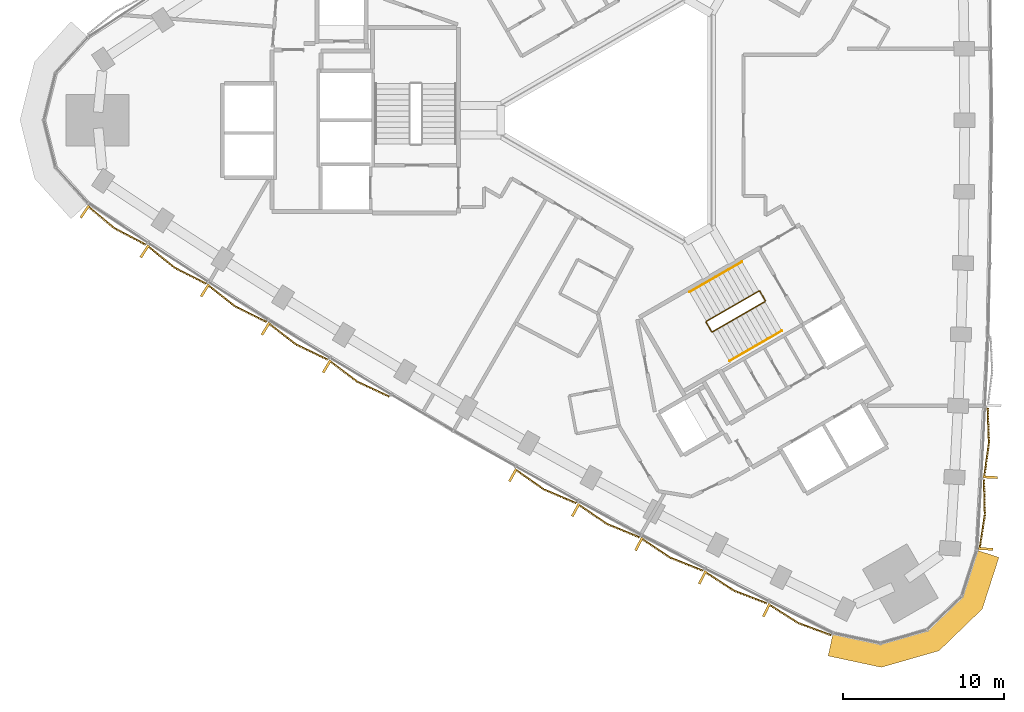
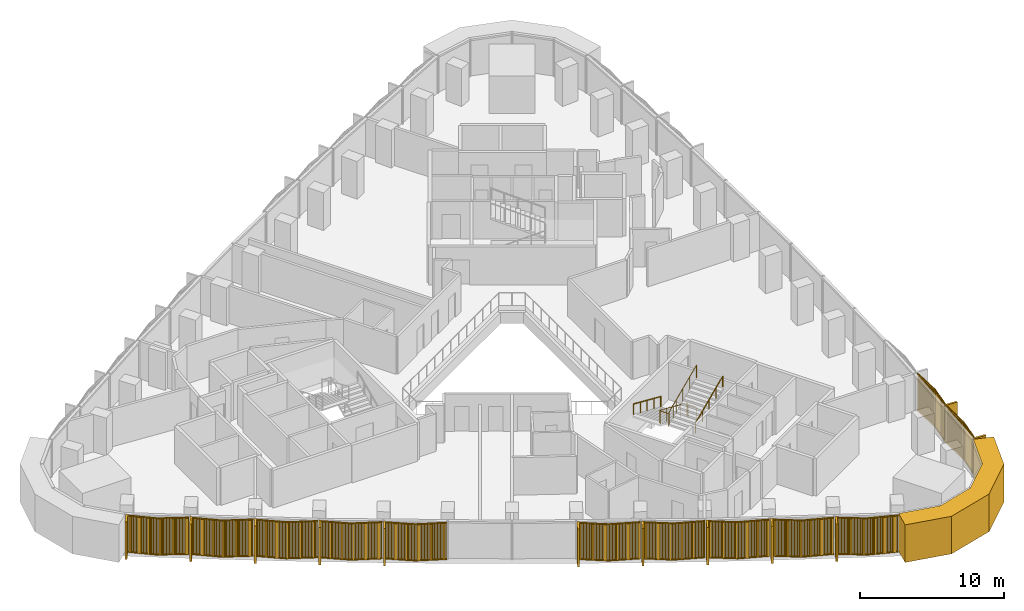
# One storey, part 12 of 15: 13 coverings, 3 railings.
"""IFC4 building model written with IfcOpenShell, lengths in metres."""

from ifc_helpers import new_model, si_unit, direction, frame, frame_2d, origin, origin_2d, place, context, subcontext, project, spatial, polyline, rectangle, circle, outline, extrude, source, transform, mapped, material, layer, layer_set, type_object, element, save


model = new_model("IFC4")

# Units and contexts
model_context = context("Model", 3, precision=1e-05, world=origin(), true_north=direction((0.0, 1.0)))
body_context = subcontext(model_context, "Body", "Model", "MODEL_VIEW")
ifc_project = project(units=[si_unit("LENGTHUNIT", "METRE"), si_unit("AREAUNIT", "SQUARE_METRE"), si_unit("VOLUMEUNIT", "CUBIC_METRE"), si_unit("PLANEANGLEUNIT", "RADIAN"), si_unit("MASSUNIT", "GRAM", prefix="KILO")], contexts=[model_context])

# Site, building, storey
site_placement = place(None, origin())
site = spatial("IfcSite", under=ifc_project, at=site_placement, CompositionType="ELEMENT")
building_placement = place(site_placement, origin())
building = spatial("IfcBuilding", under=site, at=building_placement, Name="Tamra Quay Hotel Tower", CompositionType="ELEMENT")
storey_placement = place(building_placement, frame((0.0, 0.0, 86.60009765625)))
storey = spatial("IfcBuildingStorey", under=building, at=storey_placement, Name="L20", CompositionType="ELEMENT", Elevation=86.60009765625)

# Covering
ifc_material_1 = material(Name="Precast concrete M60 terracotta-coloured", Category="masonry")
ifc_layer = layer(ifc_material_1, 1.449951171875)
ifc_layer_set = layer_set([ifc_layer], Name="CORNER PIER PANEL")
covering_type_1 = type_object("IfcCoveringType", Name="CORNER PIER PANEL", PredefinedType="CLADDING", material=ifc_layer_set)
covering_placement = place(storey_placement, origin())
element("IfcCovering", 1, at=covering_placement, inside=storey, type_object=covering_type_1, Name="Corner pier L20.south-west", PredefinedType="CLADDING", context=body_context, shape_type="SweptSolid", body=[
    extrude(outline(polyline([(12.46875, -31.928466796875), (12.16552734375, -33.34619140625), (15.469482421875, -34.052978515625), (19.066162109375, -33.0234375), (21.756103515625, -30.423583984375), (22.7958984375, -27.208740234375), (21.41650390625, -26.762451171875), (20.48779296875, -29.6328125), (18.31884765625, -31.729248046875), (15.418701171875, -32.559326171875), (12.46875, -31.928466796875)])), origin(), (0.0, 0.0, 1.0), 3.1748046875),
])

# Railings
ifc_material_2 = material(Name="Stair guard 1100")
railing_type_1 = type_object("IfcRailingType", Name="Stair guard 1100", PredefinedType="GUARDRAIL", material=ifc_material_2)
railing_1_placement = place(storey_placement, frame((8.245849609375, -11.221923828125, 0.0)))
element("IfcRailing", 2, at=railing_1_placement, inside=storey, type_object=railing_type_1, Name="GR", PredefinedType="GUARDRAIL", context=body_context, shape_type="SweptSolid", body=[
    extrude(circle(Radius=0.02392578125, at=origin_2d()), frame((0.0, 0.0, 1.076171875), z_axis=(-0.500043078269, 0.866000531106, 0.0), x_axis=(-0.866000531106, -0.500043078269, 0.0)), (0.0, 0.0, 1.0), 0.6591796875),
    extrude(circle(Radius=0.02392578125, at=origin_2d()), frame((-0.32958984375, 0.57080078125, 1.076171875), z_axis=(-0.41238007866, 0.110458949641, 0.904290601062), x_axis=(-0.258736085224, -0.965948051503, 0.0)), (0.0, 0.0, 1.0), 0.165771484375),
    extrude(circle(Radius=0.02392578125, at=origin_2d()), frame((-0.39794921875, 0.589111328125, 1.22607421875), z_axis=(-0.793100512587, -0.457912285461, 0.401631567183), x_axis=(0.500012686397, -0.866018079166, 0.0)), (0.0, 0.0, 1.0), 4.10791015625),
    extrude(circle(Radius=0.02392578125, at=origin_2d()), frame((-3.656005859375, -1.2919921875, 2.8759765625), z_axis=(-0.256368644879, -0.966579080015, 0.0), x_axis=(0.966579080015, -0.256368644879, 0.0)), (0.0, 0.0, 1.0), 0.070556640625),
    extrude(circle(Radius=0.02392578125, at=origin_2d()), frame((-3.674072265625, -1.360107421875, 2.8759765625), z_axis=(0.499765215335, -0.866160914346, 0.0), x_axis=(0.866160914346, 0.499765215335, 0.0)), (0.0, 0.0, 1.0), 0.658935546875),
    extrude(circle(Radius=0.02392578125, at=origin_2d()), frame((-3.3447265625, -1.930908203125, 2.8759765625), z_axis=(0.411831509231, -0.110312011401, 0.90455849349), x_axis=(0.258736085224, 0.965948051503, 0.0)), (0.0, 0.0, 1.0), 0.166015625),
    extrude(circle(Radius=0.02392578125, at=origin_2d()), frame((-3.2763671875, -1.94921875, 3.02587890625), z_axis=(0.793100512587, 0.457912285461, 0.401631567183), x_axis=(-0.500012686397, 0.866018079166, 0.0)), (0.0, 0.0, 1.0), 4.10791015625),
    extrude(circle(Radius=0.02099609375, at=origin_2d()), origin(), (0.0, 0.0, 1.0), 1.052001953125),
    extrude(circle(Radius=0.02099609375, at=origin_2d()), frame((-0.32958984375, 0.57080078125, 0.0)), (0.0, 0.0, 1.0), 1.052001953125),
    extrude(circle(Radius=0.02099609375, at=origin_2d()), frame((-0.39794921875, 0.589111328125, 0.14990234375)), (0.0, 0.0, 1.0), 1.052001953125),
    extrude(circle(Radius=0.02099609375, at=origin_2d()), frame((-1.21240234375, 0.118896484375, 0.5625)), (0.0, 0.0, 1.0), 1.052001953125),
    extrude(circle(Radius=0.02099609375, at=origin_2d()), frame((-2.02685546875, -0.3515625, 0.974853515625)), (0.0, 0.0, 1.0), 1.052001953125),
    extrude(circle(Radius=0.02099609375, at=origin_2d()), frame((-2.841552734375, -0.82177734375, 1.38720703125)), (0.0, 0.0, 1.0), 1.052001953125),
    extrude(circle(Radius=0.02099609375, at=origin_2d()), frame((-3.656005859375, -1.2919921875, 1.7998046875)), (0.0, 0.0, 1.0), 1.052001953125),
    extrude(circle(Radius=0.02099609375, at=origin_2d()), frame((-3.674072265625, -1.360107421875, 1.7998046875)), (0.0, 0.0, 1.0), 1.052001953125),
    extrude(circle(Radius=0.02099609375, at=origin_2d()), frame((-3.3447265625, -1.930908203125, 1.7998046875)), (0.0, 0.0, 1.0), 1.052001953125),
    extrude(circle(Radius=0.02099609375, at=origin_2d()), frame((-3.2763671875, -1.94921875, 1.949951171875)), (0.0, 0.0, 1.0), 1.052001953125),
    extrude(circle(Radius=0.02099609375, at=origin_2d()), frame((-2.4619140625, -1.47900390625, 2.3623046875)), (0.0, 0.0, 1.0), 1.052001953125),
    extrude(circle(Radius=0.02099609375, at=origin_2d()), frame((-1.6474609375, -1.0087890625, 2.77490234375)), (0.0, 0.0, 1.0), 1.052001953125),
    extrude(circle(Radius=0.02099609375, at=origin_2d()), frame((-0.832763671875, -0.538330078125, 3.1875)), (0.0, 0.0, 1.0), 1.052001953125),
    extrude(circle(Radius=0.02099609375, at=origin_2d()), frame((-0.018310546875, -0.068115234375, 3.599853515625)), (0.0, 0.0, 1.0), 1.052001953125),
])
ifc_material_3 = material(Name="Stair handrail 900")
railing_type_2 = type_object("IfcRailingType", Name="Stair handrail 900", PredefinedType="HANDRAIL", material=ifc_material_3)
railing_2_placement = place(storey_placement, frame((6.7978515625, -8.814208984375, 0.14990234375)))
element("IfcRailing", 3, at=railing_2_placement, inside=storey, type_object=railing_type_2, Name="HR", PredefinedType="HANDRAIL", context=body_context, shape_type="SweptSolid", body=[
    extrude(circle(Radius=0.02392578125, at=origin_2d()), frame((0.0, 0.0, 0.8759765625), z_axis=(-0.79310004713, -0.457886897714, 0.401661429744), x_axis=(0.499992114976, -0.866029956157, 0.0)), (0.0, 0.0, 1.0), 4.107666015625),
    extrude(circle(Radius=0.02099609375, at=origin_2d()), origin(), (0.0, 0.0, 1.0), 0.851806640625),
    extrude(circle(Radius=0.02099609375, at=origin_2d()), frame((-0.814453125, -0.47021484375, 0.41259765625)), (0.0, 0.0, 1.0), 0.851806640625),
    extrude(circle(Radius=0.02099609375, at=origin_2d()), frame((-1.62890625, -0.9404296875, 0.824951171875)), (0.0, 0.0, 1.0), 0.851806640625),
    extrude(circle(Radius=0.02099609375, at=origin_2d()), frame((-2.443359375, -1.41064453125, 1.2373046875)), (0.0, 0.0, 1.0), 0.851806640625),
    extrude(circle(Radius=0.02099609375, at=origin_2d()), frame((-3.2578125, -1.880859375, 1.64990234375)), (0.0, 0.0, 1.0), 0.851806640625),
])
railing_3_placement = place(storey_placement, frame((6.01953125, -14.98974609375, 1.949951171875)))
element("IfcRailing", 4, at=railing_3_placement, inside=storey, type_object=railing_type_2, Name="HR", PredefinedType="HANDRAIL", context=body_context, shape_type="SweptSolid", body=[
    extrude(circle(Radius=0.02392578125, at=origin_2d()), frame((0.0, 0.0, 0.8759765625), z_axis=(0.79310004713, 0.457886897714, 0.401661429744), x_axis=(-0.499992114976, 0.866029956157, 0.0)), (0.0, 0.0, 1.0), 4.107666015625),
    extrude(circle(Radius=0.02099609375, at=origin_2d()), origin(), (0.0, 0.0, 1.0), 0.851806640625),
    extrude(circle(Radius=0.02099609375, at=origin_2d()), frame((0.814453125, 0.47021484375, 0.41259765625)), (0.0, 0.0, 1.0), 0.851806640625),
    extrude(circle(Radius=0.02099609375, at=origin_2d()), frame((1.62890625, 0.9404296875, 0.824951171875)), (0.0, 0.0, 1.0), 0.851806640625),
    extrude(circle(Radius=0.02099609375, at=origin_2d()), frame((2.443359375, 1.41064453125, 1.2373046875)), (0.0, 0.0, 1.0), 0.851806640625),
    extrude(circle(Radius=0.02099609375, at=origin_2d()), frame((3.2578125, 1.880859375, 1.64990234375)), (0.0, 0.0, 1.0), 0.851806640625),
])

# Coverings
ifc_material_4 = material(Name="Terracotta baguette extruded", Category="masonry")
covering_type_2 = type_object("IfcCoveringType", Name="BAGUETTE SCREEN E-V H3175", PredefinedType="USERDEFINED", material=ifc_material_4)
shared_shape_1 = source(origin(), body_context, "Body", "SweptSolid", [
    extrude(rectangle(XDim=2.200927734375, YDim=0.06005859375, at=frame_2d((1.1005859375, 0.030029296875))), frame((-2.19775390625, -0.057861328125, -0.1201171875), z_axis=(0.0, 0.0, 1.0), x_axis=(0.996194698092, -0.087155742748, 0.0)), (0.0, 0.0, 1.0), 0.1201171875),
    extrude(rectangle(XDim=2.200927734375, YDim=0.06005859375, at=frame_2d((1.1005859375, 0.030029296875))), frame((-2.19775390625, -0.057861328125, -3.175048828125), z_axis=(0.0, 0.0, 1.0), x_axis=(0.996194698092, -0.087155742748, 0.0)), (0.0, 0.0, 1.0), 0.1201171875),
    extrude(rectangle(XDim=0.070068359375, YDim=0.10009765625, at=frame_2d((0.03515625, 0.050048828125))), frame((-2.177734375, -0.13232421875, -3.114990234375)), (0.0, 0.0, 1.0), 3.054931640625),
    extrude(rectangle(XDim=0.070068359375, YDim=0.10009765625, at=frame_2d((0.03515625, 0.050048828125))), frame((-2.078125, -0.14111328125, -3.114990234375)), (0.0, 0.0, 1.0), 3.054931640625),
    extrude(rectangle(XDim=0.070068359375, YDim=0.10009765625, at=frame_2d((0.03515625, 0.050048828125))), frame((-1.978271484375, -0.14990234375, -3.114990234375)), (0.0, 0.0, 1.0), 3.054931640625),
    extrude(rectangle(XDim=0.070068359375, YDim=0.10009765625, at=frame_2d((0.03515625, 0.050048828125))), frame((-1.878662109375, -0.158447265625, -3.114990234375)), (0.0, 0.0, 1.0), 3.054931640625),
    extrude(rectangle(XDim=0.070068359375, YDim=0.10009765625, at=frame_2d((0.03515625, 0.050048828125))), frame((-1.779052734375, -0.167236328125, -3.114990234375)), (0.0, 0.0, 1.0), 3.054931640625),
    extrude(rectangle(XDim=0.070068359375, YDim=0.10009765625, at=frame_2d((0.03515625, 0.050048828125))), frame((-1.679443359375, -0.176025390625, -3.114990234375)), (0.0, 0.0, 1.0), 3.054931640625),
    extrude(rectangle(XDim=0.070068359375, YDim=0.10009765625, at=frame_2d((0.03515625, 0.050048828125))), frame((-1.579833984375, -0.1845703125, -3.114990234375)), (0.0, 0.0, 1.0), 3.054931640625),
    extrude(rectangle(XDim=0.070068359375, YDim=0.10009765625, at=frame_2d((0.03515625, 0.050048828125))), frame((-1.47998046875, -0.193359375, -3.114990234375)), (0.0, 0.0, 1.0), 3.054931640625),
    extrude(rectangle(XDim=0.070068359375, YDim=0.10009765625, at=frame_2d((0.03515625, 0.050048828125))), frame((-1.38037109375, -0.2021484375, -3.114990234375)), (0.0, 0.0, 1.0), 3.054931640625),
    extrude(rectangle(XDim=0.070068359375, YDim=0.10009765625, at=frame_2d((0.03515625, 0.050048828125))), frame((-1.28076171875, -0.2109375, -3.114990234375)), (0.0, 0.0, 1.0), 3.054931640625),
    extrude(rectangle(XDim=0.070068359375, YDim=0.10009765625, at=frame_2d((0.03515625, 0.050048828125))), frame((-1.18115234375, -0.219482421875, -3.114990234375)), (0.0, 0.0, 1.0), 3.054931640625),
    extrude(rectangle(XDim=0.070068359375, YDim=0.10009765625, at=frame_2d((0.03515625, 0.050048828125))), frame((-1.081298828125, -0.228271484375, -3.114990234375)), (0.0, 0.0, 1.0), 3.054931640625),
    extrude(rectangle(XDim=0.070068359375, YDim=0.10009765625, at=frame_2d((0.03515625, 0.050048828125))), frame((-0.981689453125, -0.237060546875, -3.114990234375)), (0.0, 0.0, 1.0), 3.054931640625),
    extrude(rectangle(XDim=0.070068359375, YDim=0.10009765625, at=frame_2d((0.03515625, 0.050048828125))), frame((-0.882080078125, -0.24560546875, -3.114990234375)), (0.0, 0.0, 1.0), 3.054931640625),
    extrude(rectangle(XDim=0.070068359375, YDim=0.10009765625, at=frame_2d((0.03515625, 0.050048828125))), frame((-0.782470703125, -0.25439453125, -3.114990234375)), (0.0, 0.0, 1.0), 3.054931640625),
    extrude(rectangle(XDim=0.070068359375, YDim=0.10009765625, at=frame_2d((0.03515625, 0.050048828125))), frame((-0.682861328125, -0.26318359375, -3.114990234375)), (0.0, 0.0, 1.0), 3.054931640625),
    extrude(rectangle(XDim=0.070068359375, YDim=0.10009765625, at=frame_2d((0.03515625, 0.050048828125))), frame((-0.583251953125, -0.27197265625, -3.114990234375)), (0.0, 0.0, 1.0), 3.054931640625),
    extrude(rectangle(XDim=0.070068359375, YDim=0.10009765625, at=frame_2d((0.03515625, 0.050048828125))), frame((-0.4833984375, -0.280517578125, -3.114990234375)), (0.0, 0.0, 1.0), 3.054931640625),
    extrude(rectangle(XDim=0.070068359375, YDim=0.10009765625, at=frame_2d((0.03515625, 0.050048828125))), frame((-0.3837890625, -0.289306640625, -3.114990234375)), (0.0, 0.0, 1.0), 3.054931640625),
    extrude(rectangle(XDim=0.070068359375, YDim=0.10009765625, at=frame_2d((0.03515625, 0.050048828125))), frame((-0.2841796875, -0.298095703125, -3.114990234375)), (0.0, 0.0, 1.0), 3.054931640625),
    extrude(rectangle(XDim=0.070068359375, YDim=0.10009765625, at=frame_2d((0.03515625, 0.050048828125))), frame((-0.1845703125, -0.306640625, -3.114990234375)), (0.0, 0.0, 1.0), 3.054931640625),
    extrude(rectangle(XDim=0.070068359375, YDim=0.10009765625, at=frame_2d((0.03515625, 0.050048828125))), frame((-0.084716796875, -0.3154296875, -3.114990234375)), (0.0, 0.0, 1.0), 3.054931640625),
    extrude(rectangle(XDim=2.200927734375, YDim=0.06005859375, at=frame_2d((1.1005859375, 0.030029296875))), frame((0.005126953125, -0.24951171875, -0.1201171875), z_axis=(0.0, 0.0, 1.0), x_axis=(0.996194698092, 0.087155742748, 0.0)), (0.0, 0.0, 1.0), 0.1201171875),
    extrude(rectangle(XDim=2.200927734375, YDim=0.06005859375, at=frame_2d((1.1005859375, 0.030029296875))), frame((0.005126953125, -0.24951171875, -3.175048828125), z_axis=(0.0, 0.0, 1.0), x_axis=(0.996194698092, 0.087155742748, 0.0)), (0.0, 0.0, 1.0), 0.1201171875),
    extrude(rectangle(XDim=0.070068359375, YDim=0.10009765625, at=frame_2d((0.03515625, 0.050048828125))), frame((0.014892578125, -0.3154296875, -3.114990234375)), (0.0, 0.0, 1.0), 3.054931640625),
    extrude(rectangle(XDim=0.070068359375, YDim=0.10009765625, at=frame_2d((0.03515625, 0.050048828125))), frame((0.114501953125, -0.306640625, -3.114990234375)), (0.0, 0.0, 1.0), 3.054931640625),
    extrude(rectangle(XDim=0.070068359375, YDim=0.10009765625, at=frame_2d((0.03515625, 0.050048828125))), frame((0.214111328125, -0.298095703125, -3.114990234375)), (0.0, 0.0, 1.0), 3.054931640625),
    extrude(rectangle(XDim=0.070068359375, YDim=0.10009765625, at=frame_2d((0.03515625, 0.050048828125))), frame((0.313720703125, -0.289306640625, -3.114990234375)), (0.0, 0.0, 1.0), 3.054931640625),
    extrude(rectangle(XDim=0.070068359375, YDim=0.10009765625, at=frame_2d((0.03515625, 0.050048828125))), frame((0.41357421875, -0.280517578125, -3.114990234375)), (0.0, 0.0, 1.0), 3.054931640625),
    extrude(rectangle(XDim=0.070068359375, YDim=0.10009765625, at=frame_2d((0.03515625, 0.050048828125))), frame((0.51318359375, -0.27197265625, -3.114990234375)), (0.0, 0.0, 1.0), 3.054931640625),
    extrude(rectangle(XDim=0.070068359375, YDim=0.10009765625, at=frame_2d((0.03515625, 0.050048828125))), frame((0.61279296875, -0.26318359375, -3.114990234375)), (0.0, 0.0, 1.0), 3.054931640625),
    extrude(rectangle(XDim=0.070068359375, YDim=0.10009765625, at=frame_2d((0.03515625, 0.050048828125))), frame((0.71240234375, -0.25439453125, -3.114990234375)), (0.0, 0.0, 1.0), 3.054931640625),
    extrude(rectangle(XDim=0.070068359375, YDim=0.10009765625, at=frame_2d((0.03515625, 0.050048828125))), frame((0.81201171875, -0.24560546875, -3.114990234375)), (0.0, 0.0, 1.0), 3.054931640625),
    extrude(rectangle(XDim=0.070068359375, YDim=0.10009765625, at=frame_2d((0.03515625, 0.050048828125))), frame((0.911865234375, -0.237060546875, -3.114990234375)), (0.0, 0.0, 1.0), 3.054931640625),
    extrude(rectangle(XDim=0.070068359375, YDim=0.10009765625, at=frame_2d((0.03515625, 0.050048828125))), frame((1.011474609375, -0.228271484375, -3.114990234375)), (0.0, 0.0, 1.0), 3.054931640625),
    extrude(rectangle(XDim=0.070068359375, YDim=0.10009765625, at=frame_2d((0.03515625, 0.050048828125))), frame((1.111083984375, -0.219482421875, -3.114990234375)), (0.0, 0.0, 1.0), 3.054931640625),
    extrude(rectangle(XDim=0.070068359375, YDim=0.10009765625, at=frame_2d((0.03515625, 0.050048828125))), frame((1.210693359375, -0.2109375, -3.114990234375)), (0.0, 0.0, 1.0), 3.054931640625),
    extrude(rectangle(XDim=0.070068359375, YDim=0.10009765625, at=frame_2d((0.03515625, 0.050048828125))), frame((1.310302734375, -0.2021484375, -3.114990234375)), (0.0, 0.0, 1.0), 3.054931640625),
    extrude(rectangle(XDim=0.070068359375, YDim=0.10009765625, at=frame_2d((0.03515625, 0.050048828125))), frame((1.41015625, -0.193359375, -3.114990234375)), (0.0, 0.0, 1.0), 3.054931640625),
    extrude(rectangle(XDim=0.070068359375, YDim=0.10009765625, at=frame_2d((0.03515625, 0.050048828125))), frame((1.509765625, -0.1845703125, -3.114990234375)), (0.0, 0.0, 1.0), 3.054931640625),
    extrude(rectangle(XDim=0.070068359375, YDim=0.10009765625, at=frame_2d((0.03515625, 0.050048828125))), frame((1.609375, -0.176025390625, -3.114990234375)), (0.0, 0.0, 1.0), 3.054931640625),
    extrude(rectangle(XDim=0.070068359375, YDim=0.10009765625, at=frame_2d((0.03515625, 0.050048828125))), frame((1.708984375, -0.167236328125, -3.114990234375)), (0.0, 0.0, 1.0), 3.054931640625),
    extrude(rectangle(XDim=0.070068359375, YDim=0.10009765625, at=frame_2d((0.03515625, 0.050048828125))), frame((1.80859375, -0.158447265625, -3.114990234375)), (0.0, 0.0, 1.0), 3.054931640625),
    extrude(rectangle(XDim=0.070068359375, YDim=0.10009765625, at=frame_2d((0.03515625, 0.050048828125))), frame((1.908447265625, -0.14990234375, -3.114990234375)), (0.0, 0.0, 1.0), 3.054931640625),
    extrude(rectangle(XDim=0.070068359375, YDim=0.10009765625, at=frame_2d((0.03515625, 0.050048828125))), frame((2.008056640625, -0.14111328125, -3.114990234375)), (0.0, 0.0, 1.0), 3.054931640625),
    extrude(rectangle(XDim=0.070068359375, YDim=0.10009765625, at=frame_2d((0.03515625, 0.050048828125))), frame((2.107666015625, -0.13232421875, -3.114990234375)), (0.0, 0.0, 1.0), 3.054931640625),
    extrude(rectangle(XDim=0.14990234375, YDim=0.902099609375, at=frame_2d((0.074951171875, 0.451171875))), frame((-2.1923828125, -0.89990234375, -3.175048828125)), (0.0, 0.0, 1.0), 3.175048828125),
])
for number, where, z_axis, x_axis, name in (
    (5, (21.6640625, -24.5419921875, 3.1748046875), (0.0, 0.0, 1.0), (0.062670105733, 0.998034296929, 0.0), "Baguette screen L20.E.f00"),
    (6, (21.91845703125, -20.084228515625, 3.1748046875), (0.0, 0.0, 1.0), (0.051320550821, 0.998682232276, 0.0), "Baguette screen L20.E.f01"),
):
    element("IfcCovering", number, at=place(storey_placement, frame(where, z_axis=z_axis, x_axis=x_axis)), inside=storey, type_object=covering_type_2, Name=name, ObjectType="BAGUETTE SCREEN", PredefinedType="USERDEFINED", context=body_context, shape_type="MappedRepresentation", body=[
        mapped(shared_shape_1, transform((0.0, 0.0, 0.0), scale=1.0)),
    ])
covering_type_3 = type_object("IfcCoveringType", Name="BAGUETTE SCREEN SW-V H3175", PredefinedType="USERDEFINED", material=ifc_material_4)
shared_shape_2 = source(origin(), body_context, "Body", "SweptSolid", [
    extrude(rectangle(XDim=2.20458984375, YDim=0.06005859375, at=frame_2d((1.102294921875, 0.030029296875))), frame((-2.19873046875, -0.0576171875, -0.1201171875), z_axis=(0.0, 0.0, 1.0), x_axis=(0.994521895368, -0.104528463268, 0.0)), (0.0, 0.0, 1.0), 0.1201171875),
    extrude(rectangle(XDim=2.20458984375, YDim=0.06005859375, at=frame_2d((1.102294921875, 0.030029296875))), frame((-2.19873046875, -0.0576171875, -3.175048828125), z_axis=(0.0, 0.0, 1.0), x_axis=(0.994521895368, -0.104528463268, 0.0)), (0.0, 0.0, 1.0), 0.1201171875),
    extrude(rectangle(XDim=0.070068359375, YDim=0.10009765625, at=frame_2d((0.03515625, 0.050048828125))), frame((-2.177734375, -0.13330078125, -3.114990234375)), (0.0, 0.0, 1.0), 3.054931640625),
    extrude(rectangle(XDim=0.070068359375, YDim=0.10009765625, at=frame_2d((0.03515625, 0.050048828125))), frame((-2.078125, -0.143798828125, -3.114990234375)), (0.0, 0.0, 1.0), 3.054931640625),
    extrude(rectangle(XDim=0.070068359375, YDim=0.10009765625, at=frame_2d((0.03515625, 0.050048828125))), frame((-1.978271484375, -0.154296875, -3.114990234375)), (0.0, 0.0, 1.0), 3.054931640625),
    extrude(rectangle(XDim=0.070068359375, YDim=0.10009765625, at=frame_2d((0.03515625, 0.050048828125))), frame((-1.878662109375, -0.16455078125, -3.114990234375)), (0.0, 0.0, 1.0), 3.054931640625),
    extrude(rectangle(XDim=0.070068359375, YDim=0.10009765625, at=frame_2d((0.03515625, 0.050048828125))), frame((-1.779052734375, -0.175048828125, -3.114990234375)), (0.0, 0.0, 1.0), 3.054931640625),
    extrude(rectangle(XDim=0.070068359375, YDim=0.10009765625, at=frame_2d((0.03515625, 0.050048828125))), frame((-1.679443359375, -0.185546875, -3.114990234375)), (0.0, 0.0, 1.0), 3.054931640625),
    extrude(rectangle(XDim=0.070068359375, YDim=0.10009765625, at=frame_2d((0.03515625, 0.050048828125))), frame((-1.579833984375, -0.196044921875, -3.114990234375)), (0.0, 0.0, 1.0), 3.054931640625),
    extrude(rectangle(XDim=0.070068359375, YDim=0.10009765625, at=frame_2d((0.03515625, 0.050048828125))), frame((-1.47998046875, -0.20654296875, -3.114990234375)), (0.0, 0.0, 1.0), 3.054931640625),
    extrude(rectangle(XDim=0.070068359375, YDim=0.10009765625, at=frame_2d((0.03515625, 0.050048828125))), frame((-1.38037109375, -0.217041015625, -3.114990234375)), (0.0, 0.0, 1.0), 3.054931640625),
    extrude(rectangle(XDim=0.070068359375, YDim=0.10009765625, at=frame_2d((0.03515625, 0.050048828125))), frame((-1.28076171875, -0.2275390625, -3.114990234375)), (0.0, 0.0, 1.0), 3.054931640625),
    extrude(rectangle(XDim=0.070068359375, YDim=0.10009765625, at=frame_2d((0.03515625, 0.050048828125))), frame((-1.18115234375, -0.238037109375, -3.114990234375)), (0.0, 0.0, 1.0), 3.054931640625),
    extrude(rectangle(XDim=0.070068359375, YDim=0.10009765625, at=frame_2d((0.03515625, 0.050048828125))), frame((-1.081298828125, -0.24853515625, -3.114990234375)), (0.0, 0.0, 1.0), 3.054931640625),
    extrude(rectangle(XDim=0.070068359375, YDim=0.10009765625, at=frame_2d((0.03515625, 0.050048828125))), frame((-0.981689453125, -0.259033203125, -3.114990234375)), (0.0, 0.0, 1.0), 3.054931640625),
    extrude(rectangle(XDim=0.070068359375, YDim=0.10009765625, at=frame_2d((0.03515625, 0.050048828125))), frame((-0.882080078125, -0.26953125, -3.114990234375)), (0.0, 0.0, 1.0), 3.054931640625),
    extrude(rectangle(XDim=0.070068359375, YDim=0.10009765625, at=frame_2d((0.03515625, 0.050048828125))), frame((-0.782470703125, -0.27978515625, -3.114990234375)), (0.0, 0.0, 1.0), 3.054931640625),
    extrude(rectangle(XDim=0.070068359375, YDim=0.10009765625, at=frame_2d((0.03515625, 0.050048828125))), frame((-0.682861328125, -0.290283203125, -3.114990234375)), (0.0, 0.0, 1.0), 3.054931640625),
    extrude(rectangle(XDim=0.070068359375, YDim=0.10009765625, at=frame_2d((0.03515625, 0.050048828125))), frame((-0.583251953125, -0.30078125, -3.114990234375)), (0.0, 0.0, 1.0), 3.054931640625),
    extrude(rectangle(XDim=0.070068359375, YDim=0.10009765625, at=frame_2d((0.03515625, 0.050048828125))), frame((-0.4833984375, -0.311279296875, -3.114990234375)), (0.0, 0.0, 1.0), 3.054931640625),
    extrude(rectangle(XDim=0.070068359375, YDim=0.10009765625, at=frame_2d((0.03515625, 0.050048828125))), frame((-0.3837890625, -0.32177734375, -3.114990234375)), (0.0, 0.0, 1.0), 3.054931640625),
    extrude(rectangle(XDim=0.070068359375, YDim=0.10009765625, at=frame_2d((0.03515625, 0.050048828125))), frame((-0.2841796875, -0.332275390625, -3.114990234375)), (0.0, 0.0, 1.0), 3.054931640625),
    extrude(rectangle(XDim=0.070068359375, YDim=0.10009765625, at=frame_2d((0.03515625, 0.050048828125))), frame((-0.1845703125, -0.3427734375, -3.114990234375)), (0.0, 0.0, 1.0), 3.054931640625),
    extrude(rectangle(XDim=0.070068359375, YDim=0.10009765625, at=frame_2d((0.03515625, 0.050048828125))), frame((-0.084716796875, -0.353271484375, -3.114990234375)), (0.0, 0.0, 1.0), 3.054931640625),
    extrude(rectangle(XDim=2.20458984375, YDim=0.06005859375, at=frame_2d((1.102294921875, 0.030029296875))), frame((0.00634765625, -0.2880859375, -0.1201171875), z_axis=(0.0, 0.0, 1.0), x_axis=(0.994521895368, 0.104528463268, 0.0)), (0.0, 0.0, 1.0), 0.1201171875),
    extrude(rectangle(XDim=2.20458984375, YDim=0.06005859375, at=frame_2d((1.102294921875, 0.030029296875))), frame((0.00634765625, -0.2880859375, -3.175048828125), z_axis=(0.0, 0.0, 1.0), x_axis=(0.994521895368, 0.104528463268, 0.0)), (0.0, 0.0, 1.0), 0.1201171875),
    extrude(rectangle(XDim=0.070068359375, YDim=0.10009765625, at=frame_2d((0.03515625, 0.050048828125))), frame((0.014892578125, -0.353271484375, -3.114990234375)), (0.0, 0.0, 1.0), 3.054931640625),
    extrude(rectangle(XDim=0.070068359375, YDim=0.10009765625, at=frame_2d((0.03515625, 0.050048828125))), frame((0.114501953125, -0.3427734375, -3.114990234375)), (0.0, 0.0, 1.0), 3.054931640625),
    extrude(rectangle(XDim=0.070068359375, YDim=0.10009765625, at=frame_2d((0.03515625, 0.050048828125))), frame((0.214111328125, -0.332275390625, -3.114990234375)), (0.0, 0.0, 1.0), 3.054931640625),
    extrude(rectangle(XDim=0.070068359375, YDim=0.10009765625, at=frame_2d((0.03515625, 0.050048828125))), frame((0.313720703125, -0.32177734375, -3.114990234375)), (0.0, 0.0, 1.0), 3.054931640625),
    extrude(rectangle(XDim=0.070068359375, YDim=0.10009765625, at=frame_2d((0.03515625, 0.050048828125))), frame((0.41357421875, -0.311279296875, -3.114990234375)), (0.0, 0.0, 1.0), 3.054931640625),
    extrude(rectangle(XDim=0.070068359375, YDim=0.10009765625, at=frame_2d((0.03515625, 0.050048828125))), frame((0.51318359375, -0.30078125, -3.114990234375)), (0.0, 0.0, 1.0), 3.054931640625),
    extrude(rectangle(XDim=0.070068359375, YDim=0.10009765625, at=frame_2d((0.03515625, 0.050048828125))), frame((0.61279296875, -0.290283203125, -3.114990234375)), (0.0, 0.0, 1.0), 3.054931640625),
    extrude(rectangle(XDim=0.070068359375, YDim=0.10009765625, at=frame_2d((0.03515625, 0.050048828125))), frame((0.71240234375, -0.27978515625, -3.114990234375)), (0.0, 0.0, 1.0), 3.054931640625),
    extrude(rectangle(XDim=0.070068359375, YDim=0.10009765625, at=frame_2d((0.03515625, 0.050048828125))), frame((0.81201171875, -0.26953125, -3.114990234375)), (0.0, 0.0, 1.0), 3.054931640625),
    extrude(rectangle(XDim=0.070068359375, YDim=0.10009765625, at=frame_2d((0.03515625, 0.050048828125))), frame((0.911865234375, -0.259033203125, -3.114990234375)), (0.0, 0.0, 1.0), 3.054931640625),
    extrude(rectangle(XDim=0.070068359375, YDim=0.10009765625, at=frame_2d((0.03515625, 0.050048828125))), frame((1.011474609375, -0.24853515625, -3.114990234375)), (0.0, 0.0, 1.0), 3.054931640625),
    extrude(rectangle(XDim=0.070068359375, YDim=0.10009765625, at=frame_2d((0.03515625, 0.050048828125))), frame((1.111083984375, -0.238037109375, -3.114990234375)), (0.0, 0.0, 1.0), 3.054931640625),
    extrude(rectangle(XDim=0.070068359375, YDim=0.10009765625, at=frame_2d((0.03515625, 0.050048828125))), frame((1.210693359375, -0.2275390625, -3.114990234375)), (0.0, 0.0, 1.0), 3.054931640625),
    extrude(rectangle(XDim=0.070068359375, YDim=0.10009765625, at=frame_2d((0.03515625, 0.050048828125))), frame((1.310302734375, -0.217041015625, -3.114990234375)), (0.0, 0.0, 1.0), 3.054931640625),
    extrude(rectangle(XDim=0.070068359375, YDim=0.10009765625, at=frame_2d((0.03515625, 0.050048828125))), frame((1.41015625, -0.20654296875, -3.114990234375)), (0.0, 0.0, 1.0), 3.054931640625),
    extrude(rectangle(XDim=0.070068359375, YDim=0.10009765625, at=frame_2d((0.03515625, 0.050048828125))), frame((1.509765625, -0.196044921875, -3.114990234375)), (0.0, 0.0, 1.0), 3.054931640625),
    extrude(rectangle(XDim=0.070068359375, YDim=0.10009765625, at=frame_2d((0.03515625, 0.050048828125))), frame((1.609375, -0.185546875, -3.114990234375)), (0.0, 0.0, 1.0), 3.054931640625),
    extrude(rectangle(XDim=0.070068359375, YDim=0.10009765625, at=frame_2d((0.03515625, 0.050048828125))), frame((1.708984375, -0.175048828125, -3.114990234375)), (0.0, 0.0, 1.0), 3.054931640625),
    extrude(rectangle(XDim=0.070068359375, YDim=0.10009765625, at=frame_2d((0.03515625, 0.050048828125))), frame((1.80859375, -0.16455078125, -3.114990234375)), (0.0, 0.0, 1.0), 3.054931640625),
    extrude(rectangle(XDim=0.070068359375, YDim=0.10009765625, at=frame_2d((0.03515625, 0.050048828125))), frame((1.908447265625, -0.154296875, -3.114990234375)), (0.0, 0.0, 1.0), 3.054931640625),
    extrude(rectangle(XDim=0.070068359375, YDim=0.10009765625, at=frame_2d((0.03515625, 0.050048828125))), frame((2.008056640625, -0.143798828125, -3.114990234375)), (0.0, 0.0, 1.0), 3.054931640625),
    extrude(rectangle(XDim=0.070068359375, YDim=0.10009765625, at=frame_2d((0.03515625, 0.050048828125))), frame((2.107666015625, -0.13330078125, -3.114990234375)), (0.0, 0.0, 1.0), 3.054931640625),
    extrude(rectangle(XDim=0.14990234375, YDim=0.902099609375, at=frame_2d((0.074951171875, 0.451171875))), frame((-2.1923828125, -0.89990234375, -3.175048828125)), (0.0, 0.0, 1.0), 3.175048828125),
])
for number, where, z_axis, x_axis, name in (
    (7, (-32.0859375, -6.49072265625, 3.1748046875), (0.0, 0.0, 1.0), (0.832988002122, -0.553291052088, 0.0), "Baguette screen L20.SW.f00"),
    (8, (-28.352783203125, -8.93994140625, 3.1748046875), (0.0, 0.0, 1.0), (0.839223908048, -0.543786016885, 0.0), "Baguette screen L20.SW.f01"),
    (9, (-24.591796875, -11.346435546875, 3.1748046875), (0.0, 0.0, 1.0), (0.845362377055, -0.534193271635, 0.0), "Baguette screen L20.SW.f02"),
    (10, (-20.8037109375, -13.710205078125, 3.1748046875), (0.0, 0.0, 1.0), (0.85139935569, -0.524518004582, 0.0), "Baguette screen L20.SW.f03"),
    (11, (-16.98876953125, -16.030517578125, 3.1748046875), (0.0, 0.0, 1.0), (0.857331324326, -0.514764995245, 0.0), "Baguette screen L20.SW.f04"),
    (12, (-5.388427734375, -22.72802734375, 3.1748046875), (0.0, 0.0, 1.0), (0.874465225024, -0.485088208704, 0.0), "Baguette screen L20.SW.f07"),
    (13, (-1.4716796875, -24.87158203125, 3.1748046875), (0.0, 0.0, 1.0), (0.879945594555, -0.475074468502, 0.0), "Baguette screen L20.SW.f08"),
    (14, (2.469482421875, -26.970458984375, 3.1748046875), (0.0, 0.0, 1.0), (0.885306132294, -0.465008658116, 0.0), "Baguette screen L20.SW.f09"),
    (15, (6.434326171875, -29.024169921875, 3.1748046875), (0.0, 0.0, 1.0), (0.89054445887, -0.454896215391, 0.0), "Baguette screen L20.SW.f10"),
    (16, (10.421875, -31.03271484375, 3.1748046875), (0.0, 0.0, 1.0), (0.895658107856, -0.444743244842, 0.0), "Baguette screen L20.SW.f11"),
):
    element("IfcCovering", number, at=place(storey_placement, frame(where, z_axis=z_axis, x_axis=x_axis)), inside=storey, type_object=covering_type_3, Name=name, ObjectType="BAGUETTE SCREEN", PredefinedType="USERDEFINED", context=body_context, shape_type="MappedRepresentation", body=[
        mapped(shared_shape_2, transform((0.0, 0.0, 0.0), scale=1.0)),
    ])

save(model, "model.ifc")
